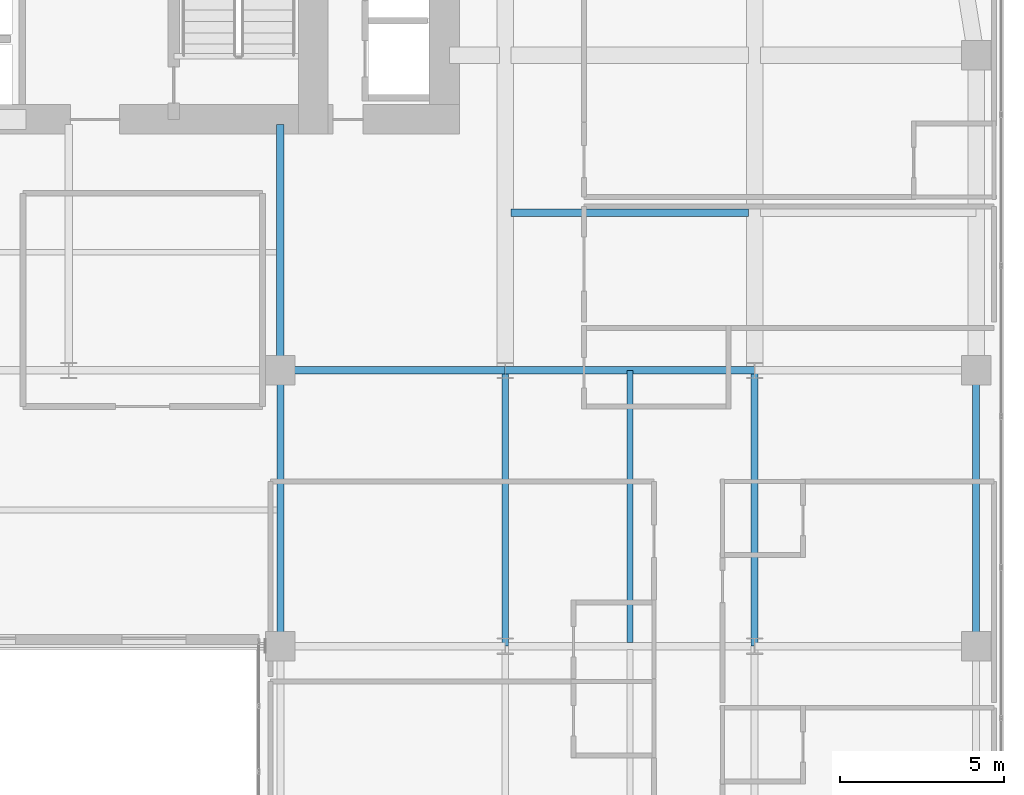
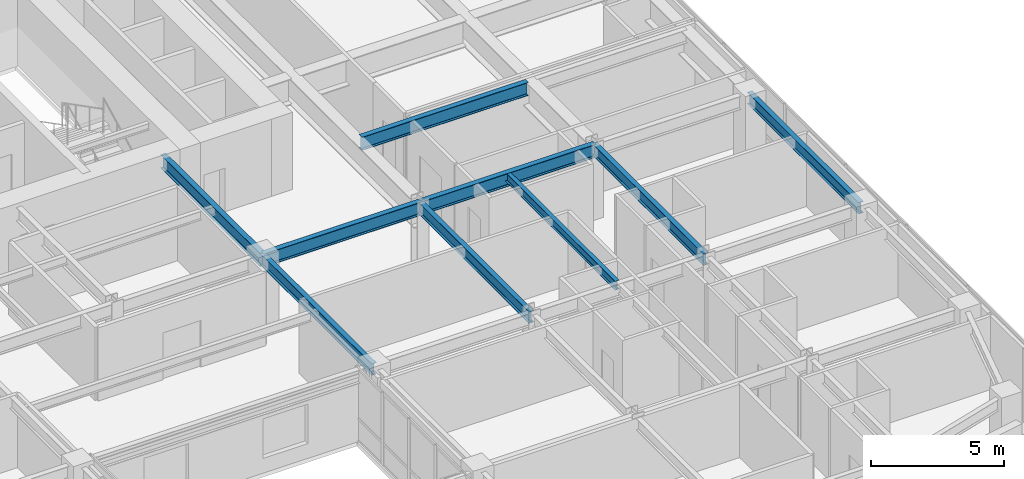
# One storey, part 10 of 25: 9 beams.
"""IFC4 building model written with IfcOpenShell, lengths in metres."""

from ifc_helpers import new_model, si_unit, direction, frame, origin, origin_2d, place, context, subcontext, project, spatial, i_section, extrude, source, transform, mapped, material, material_profile, profile_set, type_object, type_shapes, element, save


model = new_model("IFC4")

# Units and contexts
model_context = context("Model", 3, precision=1e-05, world=origin(), true_north=direction((0.0, 1.0)))
body_context = subcontext(model_context, "Body", "Model", "MODEL_VIEW")
ifc_project = project(units=[si_unit("LENGTHUNIT", "METRE"), si_unit("AREAUNIT", "SQUARE_METRE"), si_unit("VOLUMEUNIT", "CUBIC_METRE"), si_unit("PLANEANGLEUNIT", "RADIAN"), si_unit("MASSUNIT", "GRAM", prefix="KILO")], contexts=[model_context])

# Site, building, storey
site_placement = place(None, origin())
site = spatial("IfcSite", under=ifc_project, at=site_placement, CompositionType="ELEMENT")
building_placement = place(site_placement, origin())
building = spatial("IfcBuilding", under=site, at=building_placement, Name="Tolvann Quenvar Hotel", CompositionType="ELEMENT")
storey_placement = place(building_placement, frame((0.0, 0.0, 78.14990234375)))
storey = spatial("IfcBuildingStorey", under=building, at=storey_placement, Name="L19", CompositionType="ELEMENT", Elevation=78.14990234375)

# Beams
ifc_material = material(Name="Steel Grade 350", Category="steel")
ifc_material_profile_1 = material_profile(ifc_material, i_section(OverallWidth=0.22900390625, OverallDepth=0.612060546875, WebThickness=0.011962890625, FlangeThickness=0.01953125, FilletRadius=0.013916015625, at=origin_2d()), Name="610UB125")
ifc_profile_set_1 = profile_set([ifc_material_profile_1], Name="Steel Grade 350")
beam_type_1 = type_object("IfcBeamType", Name="BM_GIRD_610UB125", PredefinedType="BEAM", material=ifc_profile_set_1)
shared_shape_1 = source(origin(), body_context, "Body", "SweptSolid", [
    extrude(i_section(OverallWidth=0.22900390625, OverallDepth=0.612060546875, WebThickness=0.011962890625, FlangeThickness=0.01953125, FilletRadius=0.013916015625, at=origin_2d()), origin(), (0.0, 0.0, 1.0), 7.599853515625),
])
beam_1_placement = place(storey_placement, frame((41.800048828125, 24.39990234375, 3.064208984375), z_axis=(1.0, 0.0, 0.0), x_axis=(0.0, 1.0, 0.0)))
element("IfcBeam", 1, at=beam_1_placement, inside=storey, type_object=beam_type_1, Name="BM-L19-EW-5-H5-I5", PredefinedType="BEAM", context=body_context, shape_type="MappedRepresentation", body=[
    mapped(shared_shape_1, transform((0.0, 0.0, 0.0), x_axis=(1.0, 0.0, 0.0), y_axis=(0.0, 1.0, 0.0), z_axis=(0.0, 0.0, 1.0), scale=1.0)),
])
shared_shape_2 = source(origin(), body_context, "Body", "SweptSolid", [
    extrude(i_section(OverallWidth=0.22900390625, OverallDepth=0.612060546875, WebThickness=0.011962890625, FlangeThickness=0.01953125, FilletRadius=0.013916015625, at=origin_2d()), origin(), (0.0, 0.0, 1.0), 6.85009765625),
])
beam_2_placement = place(storey_placement, frame((34.949951171875, 24.39990234375, 3.064208984375), z_axis=(1.0, 0.0, 0.0), x_axis=(0.0, 1.0, 0.0)))
element("IfcBeam", 2, at=beam_2_placement, inside=storey, type_object=beam_type_1, Name="BM-L19-EW-5-F5-H5", PredefinedType="BEAM", context=body_context, shape_type="MappedRepresentation", body=[
    mapped(shared_shape_2, transform((0.0, 0.0, 0.0), x_axis=(1.0, 0.0, 0.0), y_axis=(0.0, 1.0, 0.0), z_axis=(0.0, 0.0, 1.0), scale=1.0)),
])
ifc_material_profile_2 = material_profile(ifc_material, i_section(OverallWidth=0.208984375, OverallDepth=0.528076171875, WebThickness=0.009521484375, FlangeThickness=0.01318359375, FilletRadius=0.013916015625, at=origin_2d()), Name="530UB82")
ifc_profile_set_2 = profile_set([ifc_material_profile_2], Name="Steel Grade 350")
beam_type_2 = type_object("IfcBeamType", Name="BM_SPAND_530UB82", PredefinedType="SPANDREL", material=ifc_profile_set_2)
shared_shape_3 = source(origin(), body_context, "Body", "SweptSolid", [
    extrude(i_section(OverallWidth=0.208984375, OverallDepth=0.528076171875, WebThickness=0.009521484375, FlangeThickness=0.01318359375, FilletRadius=0.013916015625, at=origin_2d()), origin(), (0.0, 0.0, 1.0), 8.39990234375),
])
type_shapes(beam_type_2, [shared_shape_3])
beam_3_placement = place(storey_placement, frame((56.14990234375, 16.0, 3.106201171875), z_axis=(0.0, 1.0, 0.0), x_axis=(-1.0, 0.0, 0.0)))
element("IfcBeam", 3, at=beam_3_placement, inside=storey, type_object=beam_type_2, Name="BM-L19-NS-J4-J5", PredefinedType="SPANDREL", context=body_context, shape_type="MappedRepresentation", body=[
    mapped(shared_shape_3, transform((0.0, 0.0, 0.0), x_axis=(1.0, 0.0, 0.0), y_axis=(0.0, 1.0, 0.0), z_axis=(0.0, 0.0, 1.0), scale=1.0)),
])
ifc_material_profile_3 = material_profile(ifc_material, i_section(OverallWidth=0.208984375, OverallDepth=0.532958984375, WebThickness=0.01025390625, FlangeThickness=0.015625, FilletRadius=0.013916015625, at=origin_2d()), Name="530UB92")
ifc_profile_set_3 = profile_set([ifc_material_profile_3], Name="Steel Grade 350")
beam_type_3 = type_object("IfcBeamType", Name="BM_GIRD_530UB92", PredefinedType="BEAM", material=ifc_profile_set_3)
shared_shape_4 = source(origin(), body_context, "Body", "SweptSolid", [
    extrude(i_section(OverallWidth=0.208984375, OverallDepth=0.532958984375, WebThickness=0.01025390625, FlangeThickness=0.015625, FilletRadius=0.013916015625, at=origin_2d()), origin(), (0.0, 0.0, 1.0), 8.39990234375),
])
type_shapes(beam_type_3, [shared_shape_4])
for number, where, z_axis, x_axis, name in (
    (4, (34.949951171875, 16.0, 3.103515625), (0.0, 1.0, 0.0), (-1.0, 0.0, 0.0), "BM-L19-NS-F4-F5"),
    (5, (41.800048828125, 16.0, 3.103515625), (0.0, 1.0, 0.0), (-1.0, 0.0, 0.0), "BM-L19-NS-H4-H5"),
    (6, (49.39990234375, 16.0, 3.103515625), (0.0, 1.0, 0.0), (-1.0, 0.0, 0.0), "BM-L19-NS-I4-I5"),
):
    element("IfcBeam", number, at=place(storey_placement, frame(where, z_axis=z_axis, x_axis=x_axis)), inside=storey, type_object=beam_type_3, Name=name, PredefinedType="BEAM", context=body_context, shape_type="MappedRepresentation", body=[
        mapped(shared_shape_4, transform((0.0, 0.0, 0.0), x_axis=(1.0, 0.0, 0.0), y_axis=(0.0, 1.0, 0.0), z_axis=(0.0, 0.0, 1.0), scale=1.0)),
    ])
shared_shape_5 = source(origin(), body_context, "Body", "SweptSolid", [
    extrude(i_section(OverallWidth=0.22900390625, OverallDepth=0.612060546875, WebThickness=0.011962890625, FlangeThickness=0.01953125, FilletRadius=0.013916015625, at=origin_2d()), origin(), (0.0, 0.0, 1.0), 7.5),
])
beam_4_placement = place(storey_placement, frame((34.949951171875, 24.39990234375, 3.064208984375), z_axis=(0.0, 1.0, 0.0), x_axis=(-1.0, 0.0, 0.0)))
element("IfcBeam", 7, at=beam_4_placement, inside=storey, type_object=beam_type_1, Name="BM-L19-CORE-F5", PredefinedType="BEAM", context=body_context, shape_type="MappedRepresentation", body=[
    mapped(shared_shape_5, transform((0.0, 0.0, 0.0), x_axis=(1.0, 0.0, 0.0), y_axis=(0.0, 1.0, 0.0), z_axis=(0.0, 0.0, 1.0), scale=1.0)),
])
shared_shape_6 = source(origin(), body_context, "Body", "SweptSolid", [
    extrude(i_section(OverallWidth=0.22900390625, OverallDepth=0.612060546875, WebThickness=0.011962890625, FlangeThickness=0.01953125, FilletRadius=0.013916015625, at=origin_2d()), origin(), (0.0, 0.0, 1.0), 7.239990234375),
])
type_shapes(beam_type_1, [shared_shape_1, shared_shape_2, shared_shape_5, shared_shape_6])
beam_5_placement = place(storey_placement, frame((41.97998046875, 29.199951171875, 3.064208984375), z_axis=(1.0, 0.0, 0.0), x_axis=(0.0, 1.0, 0.0)))
element("IfcBeam", 8, at=beam_5_placement, inside=storey, type_object=beam_type_1, Name="BM-L19-EW-HI29", PredefinedType="BEAM", context=body_context, shape_type="MappedRepresentation", body=[
    mapped(shared_shape_6, transform((0.0, 0.0, 0.0), x_axis=(1.0, 0.0, 0.0), y_axis=(0.0, 1.0, 0.0), z_axis=(0.0, 0.0, 1.0), scale=1.0)),
])
ifc_material_profile_4 = material_profile(ifc_material, i_section(OverallWidth=0.177978515625, OverallDepth=0.406005859375, WebThickness=0.0078125, FlangeThickness=0.0126953125, FilletRadius=0.011474609375, at=origin_2d()), Name="410UB60")
ifc_profile_set_4 = profile_set([ifc_material_profile_4], Name="Steel Grade 350")
beam_type_4 = type_object("IfcBeamType", Name="BM_JOIST_410UB60", PredefinedType="JOIST", material=ifc_profile_set_4)
shared_shape_7 = source(origin(), body_context, "Body", "SweptSolid", [
    extrude(i_section(OverallWidth=0.177978515625, OverallDepth=0.406005859375, WebThickness=0.0078125, FlangeThickness=0.0126953125, FilletRadius=0.011474609375, at=origin_2d()), origin(), (0.0, 0.0, 1.0), 8.29150390625),
])
type_shapes(beam_type_4, [shared_shape_7])
beam_6_placement = place(storey_placement, frame((45.60009765625, 16.1083984375, 3.1669921875), z_axis=(0.0, 1.0, 0.0), x_axis=(-1.0, 0.0, 0.0)))
element("IfcBeam", 9, at=beam_6_placement, inside=storey, type_object=beam_type_4, Name="BJ-L19-456-160", PredefinedType="JOIST", context=body_context, shape_type="MappedRepresentation", body=[
    mapped(shared_shape_7, transform((0.0, 0.0, 0.0), x_axis=(1.0, 0.0, 0.0), y_axis=(0.0, 1.0, 0.0), z_axis=(0.0, 0.0, 1.0), scale=1.0)),
])

save(model, "model.ifc")
